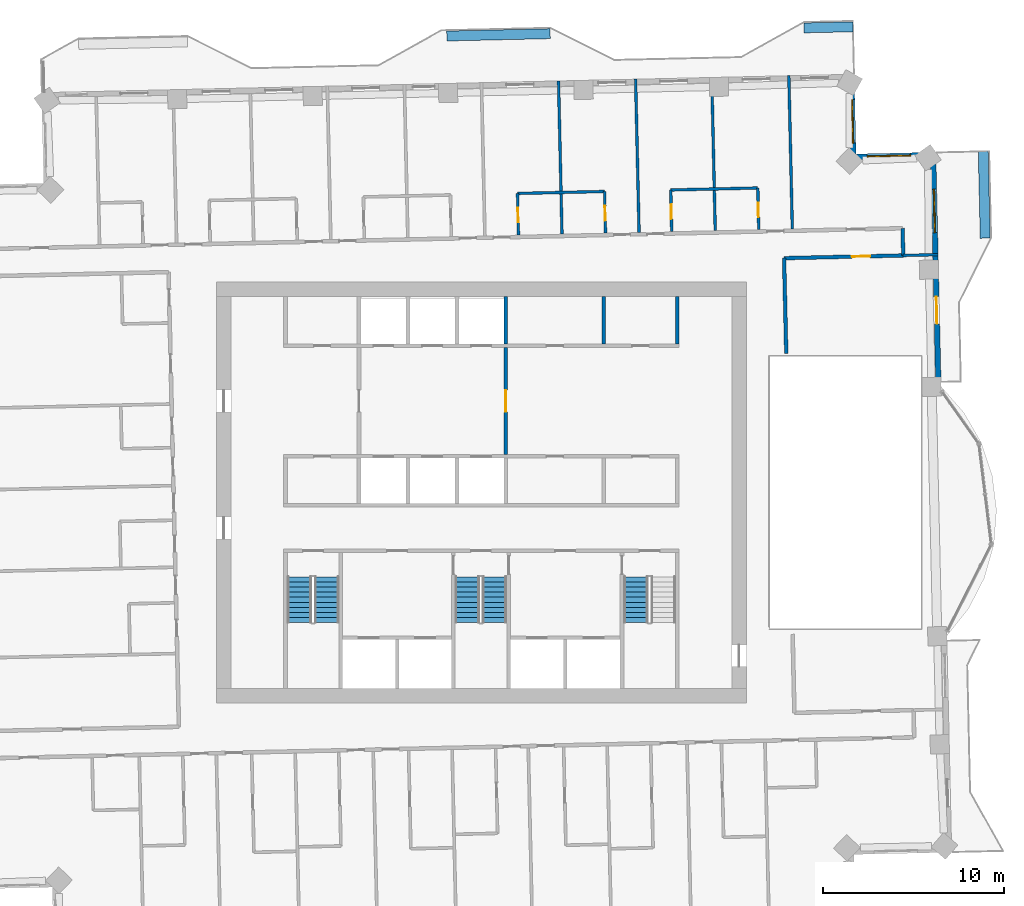
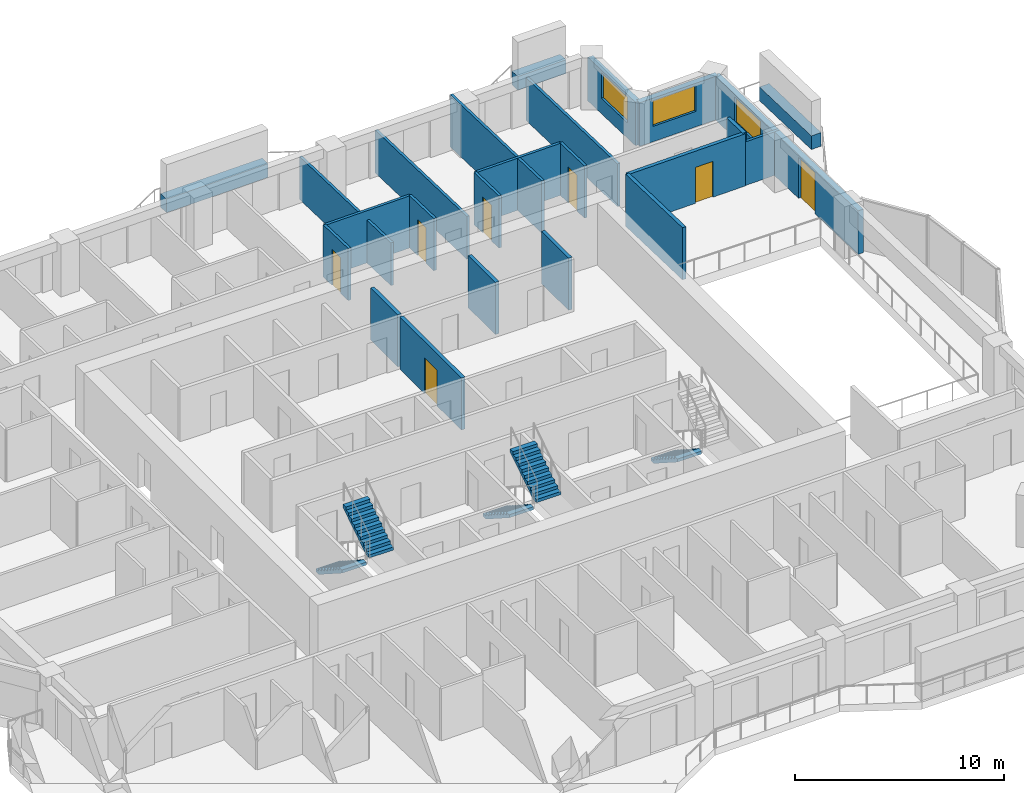
# One storey, part 12 of 17: 24 walls, 7 doors, 5 stair flights, 3 windows, 10 openings, 3 elements without a shape of their own.
"""IFC4 building model written with IfcOpenShell, lengths in metres."""

from ifc_helpers import new_model, si_unit, direction, frame, frame_2d, origin, place, context, subcontext, project, spatial, polyline, rectangle, outline, extrude, material, layer, layer_set, type_object, element, fill, aggregate, save


model = new_model("IFC4")

# Units and contexts
model_context = context("Model", 3, precision=1e-05, world=origin(), true_north=direction((0.0, 1.0)))
body_context = subcontext(model_context, "Body", "Model", "MODEL_VIEW")
ifc_project = project(units=[si_unit("LENGTHUNIT", "METRE"), si_unit("AREAUNIT", "SQUARE_METRE"), si_unit("VOLUMEUNIT", "CUBIC_METRE"), si_unit("PLANEANGLEUNIT", "RADIAN"), si_unit("MASSUNIT", "GRAM", prefix="KILO")], contexts=[model_context])

# Site, building, storey
site_placement = place(None, origin())
site = spatial("IfcSite", under=ifc_project, at=site_placement, CompositionType="ELEMENT")
building_placement = place(site_placement, origin())
building = spatial("IfcBuilding", under=site, at=building_placement, Name="Mangrove Gate Tower", CompositionType="ELEMENT")
storey_placement = place(building_placement, frame((0.0, 0.0, 249.10009765625)))
storey = spatial("IfcBuildingStorey", under=building, at=storey_placement, Name="L63", CompositionType="ELEMENT", Elevation=249.10009765625)

# Wall, opening, door
ifc_material_1 = material(Name="Concrete C32/40", Category="concrete")
ifc_layer_1 = layer(ifc_material_1, 0.199951171875)
ifc_layer_set_1 = layer_set([ifc_layer_1], Name="Core lobby wall 200 C32/40")
wall_type_1 = type_object("IfcWallType", Name="Core lobby wall 200 C32/40", PredefinedType="STANDARD", material=ifc_layer_set_1)
wall_1_placement = place(storey_placement, frame((1.35009765625, 2.10009765625, 0.0), z_axis=(0.0, 0.0, 1.0), x_axis=(0.0, 1.0, 0.0)))
wall_1 = element("IfcWall", 1, at=wall_1_placement, inside=storey, type_object=wall_type_1, Name="WALL-L63-CORE-34", PredefinedType="STANDARD", context=body_context, shape_type="SweptSolid", body=[
    extrude(rectangle(XDim=5.89990234375, YDim=0.199951171875, at=frame_2d((2.949951171875, 0.0))), origin(), (0.0, 0.0, 1.0), 3.0498046875),
])
opening_1_placement = place(wall_1_placement, frame((2.35009765625, 0.0, 0.0)))
opening_1 = element("IfcOpeningElement", 2, at=opening_1_placement, cuts=wall_1, Name="Opening FL12", PredefinedType="OPENING", context=body_context, shape_type="SweptSolid", body=[
    extrude(rectangle(XDim=1.199951171875, YDim=2.10009765625, at=frame_2d((0.60009765625, 1.050048828125))), frame((0.0, 0.10986328125, 0.0), z_axis=(0.0, -1.0, 0.0), x_axis=(1.0, 0.0, 0.0)), (0.0, 0.0, 1.0), 0.219970703125),
])
ifc_material_2 = material(Name="Fire-rated steel door set", Category="steel")
door_type_1 = type_object("IfcDoorType", Name="Lobby door FD60 1200x2100", OperationType="SINGLE_SWING_LEFT", PredefinedType="DOOR", material=ifc_material_2)
door_1_placement = place(opening_1_placement, origin())
door_1 = element("IfcDoor", 3, at=door_1_placement, inside=storey, type_object=door_type_1, Name="Lobby door lift lobby partition", OperationType="SINGLE_SWING_LEFT", OverallHeight=2.10009765625, OverallWidth=1.199951171875, PredefinedType="DOOR", context=body_context, shape_type="SweptSolid", body=[
    extrude(rectangle(XDim=1.199951171875, YDim=2.10009765625, at=frame_2d((0.60009765625, 1.050048828125))), frame((0.0, 0.02490234375, 0.0), z_axis=(0.0, -1.0, 0.0), x_axis=(1.0, 0.0, 0.0)), (0.0, 0.0, 1.0), 0.050048828125),
])
fill(opening_1, door_1)

# Walls
ifc_material_3 = material(Name="Concrete C32/40", Category="concrete")
ifc_layer_2 = layer(ifc_material_3, 0.199951171875)
ifc_layer_set_2 = layer_set([ifc_layer_2], Name="Core room wall 200 C32/40")
wall_type_2 = type_object("IfcWallType", Name="Core room wall 200 C32/40", PredefinedType="STANDARD", material=ifc_layer_set_2)
for number, where, z_axis, x_axis, name in (
    (4, (6.75, 8.199951171875, 0.0), (0.0, 0.0, 1.0), (0.0, 1.0, 0.0), "WALL-L63-CORE-31"),
    (5, (10.800048828125, 8.199951171875, 0.0), (0.0, 0.0, 1.0), (0.0, 1.0, 0.0), "WALL-L63-CORE-32"),
):
    element("IfcWall", number, at=place(storey_placement, frame(where, z_axis=z_axis, x_axis=x_axis)), inside=storey, type_object=wall_type_2, Name=name, PredefinedType="STANDARD", context=body_context, shape_type="SweptSolid", body=[
        extrude(rectangle(XDim=2.60009765625, YDim=0.199951171875, at=frame_2d((1.300048828125, 0.0))), origin(), (0.0, 0.0, 1.0), 3.0498046875),
    ])
ifc_material_4 = material(Name="Concrete C60/75", Category="concrete")
ifc_layer_3 = layer(ifc_material_4, 0.199951171875)
ifc_layer_set_3 = layer_set([ifc_layer_3], Name="Core shaft wall 200 C60/75")
wall_type_3 = type_object("IfcWallType", Name="Core shaft wall 200 C60/75", PredefinedType="SHEAR", material=ifc_layer_set_3)
wall_2_placement = place(storey_placement, frame((1.35009765625, 8.199951171875, 0.0), z_axis=(0.0, 0.0, 1.0), x_axis=(0.0, 1.0, 0.0)))
element("IfcWall", 6, at=wall_2_placement, inside=storey, type_object=wall_type_3, Name="WALL-L63-CORE-30", PredefinedType="SHEAR", context=body_context, shape_type="SweptSolid", body=[
    extrude(rectangle(XDim=2.60009765625, YDim=0.199951171875, at=frame_2d((1.300048828125, 0.0))), origin(), (0.0, 0.0, 1.0), 3.0498046875),
])
ifc_material_5 = material(Name="Gypsum board on steel stud, EI 60", Category="steel")
ifc_layer_4 = layer(ifc_material_5, 0.199951171875)
ifc_layer_set_4 = layer_set([ifc_layer_4], Name="Corridor wall EI 60")
wall_type_4 = type_object("IfcWallType", Name="Corridor wall EI 60", PredefinedType="PARTITIONING", material=ifc_layer_set_4)
wall_3_placement = place(storey_placement, frame((16.802978515625, 7.675048828125, 0.0), z_axis=(0.0, 0.0, 1.0), x_axis=(-0.022667483124, 0.999743059595, 0.0)))
element("IfcWall", 7, at=wall_3_placement, inside=storey, type_object=wall_type_4, Name="WALL-L63-049", PredefinedType="PARTITIONING", context=body_context, shape_type="SweptSolid", body=[
    extrude(rectangle(XDim=5.245361328125, YDim=0.199951171875, at=frame_2d((2.62255859375, 0.0))), origin(), (0.0, 0.0, 1.0), 3.0498046875),
])

# Wall, opening, door
wall_4_placement = place(storey_placement, frame((16.678955078125, 12.91796875, 0.0), z_axis=(0.0, 0.0, 1.0), x_axis=(0.999739125025, 0.022840356696, 0.0)))
wall_4 = element("IfcWall", 8, at=wall_4_placement, inside=storey, type_object=wall_type_4, Name="WALL-L63-055", PredefinedType="PARTITIONING", context=body_context, shape_type="SweptSolid", body=[
    extrude(rectangle(XDim=6.57373046875, YDim=0.199951171875, at=frame_2d((3.286865234375, 0.0))), origin(), (0.0, 0.0, 1.0), 3.0498046875),
])
opening_2_placement = place(wall_4_placement, frame((3.75, 0.0, 0.0)))
opening_2 = element("IfcOpeningElement", 9, at=opening_2_placement, cuts=wall_4, Name="Opening AD", PredefinedType="OPENING", context=body_context, shape_type="SweptSolid", body=[
    extrude(rectangle(XDim=1.0, YDim=2.10009765625, at=frame_2d((0.5, 1.050048828125))), frame((0.0, 0.10986328125, 0.0), z_axis=(0.0, -1.0, 0.0), x_axis=(1.0, 0.0, 0.0)), (0.0, 0.0, 1.0), 0.219970703125),
])
ifc_material_6 = material(Name="Timber door leaf", Category="wood")
door_type_2 = type_object("IfcDoorType", Name="Amenity door 1000", OperationType="SINGLE_SWING_LEFT", PredefinedType="DOOR", material=ifc_material_6)
door_2_placement = place(opening_2_placement, origin())
door_2 = element("IfcDoor", 10, at=door_2_placement, inside=storey, type_object=door_type_2, Name="DOOR-L63-GAM-c3a", OperationType="SINGLE_SWING_RIGHT", OverallHeight=2.10009765625, OverallWidth=1.0, PredefinedType="DOOR", context=body_context, shape_type="SweptSolid", body=[
    extrude(rectangle(XDim=1.0, YDim=2.10009765625, at=frame_2d((0.5, 1.050048828125))), frame((0.0, 0.02490234375, 0.0), z_axis=(0.0, -1.0, 0.0), x_axis=(1.0, 0.0, 0.0)), (0.0, 0.0, 1.0), 0.050048828125),
])
fill(opening_2, door_2)

# Wall
wall_5_placement = place(storey_placement, frame((23.251953125, 13.068115234375, 0.0), z_axis=(0.0, 0.0, 1.0), x_axis=(-0.022636322434, 0.999743765625, 0.0)))
element("IfcWall", 11, at=wall_5_placement, inside=storey, type_object=wall_type_4, Name="WALL-L63-057", PredefinedType="PARTITIONING", context=body_context, shape_type="SweptSolid", body=[
    extrude(rectangle(XDim=1.499267578125, YDim=0.199951171875, at=frame_2d((0.74951171875, 0.0))), origin(), (0.0, 0.0, 1.0), 3.0498046875),
])

# Wall, openings, door, window
ifc_material_7 = material(Name="Limestone", Category="masonry")
ifc_layer_5 = layer(ifc_material_7, 0.0400390625, Name="Limestone cladding")
ifc_material_8 = material(Name="Ventilated air gap")
ifc_layer_6 = layer(ifc_material_8, 0.0400390625, Name="Ventilated cavity")
ifc_material_9 = material(Name="Mineral wool insulation")
ifc_layer_7 = layer(ifc_material_9, 0.06005859375, Name="Insulation")
ifc_material_10 = material(Name="Breather membrane")
ifc_layer_8 = layer(ifc_material_10, 0.001953125, Name="Breather membrane")
ifc_material_11 = material(Name="Concrete C20/25 blockwork", Category="masonry")
ifc_layer_9 = layer(ifc_material_11, 0.14990234375, Name="Blockwork backing wall")
ifc_material_12 = material(Name="Gypsum plaster")
ifc_layer_10 = layer(ifc_material_12, 0.008056640625, Name="Internal plaster")
ifc_layer_set_5 = layer_set([ifc_layer_5, ifc_layer_6, ifc_layer_7, ifc_layer_8, ifc_layer_9, ifc_layer_10], Name="External wall 300 limestone cladding")
wall_type_5 = type_object("IfcWallType", Name="External wall 300 limestone cladding", PredefinedType="SOLIDWALL", material=ifc_layer_set_5)
wall_6_placement = place(storey_placement, frame((25.202880859375, 5.31005859375, 0.0), z_axis=(0.0, 0.0, 1.0), x_axis=(-0.022708061432, 0.999742138727, 0.0)))
wall_6 = element("IfcWall", 12, at=wall_6_placement, inside=storey, type_object=wall_type_5, Name="WALL-L63-E2s1", PredefinedType="SOLIDWALL", context=body_context, shape_type="SweptSolid", body=[
    extrude(rectangle(XDim=13.29931640625, YDim=0.300048828125, at=frame_2d((6.649658203125, 0.0))), origin(), (0.0, 0.0, 1.0), 2.5498046875),
])
opening_3_placement = place(wall_6_placement, frame((3.986083984375, 0.0, 0.0)))
opening_3 = element("IfcOpeningElement", 13, at=opening_3_placement, cuts=wall_6, Name="Opening BD1", PredefinedType="OPENING", context=body_context, shape_type="SweptSolid", body=[
    extrude(rectangle(XDim=1.5, YDim=2.39990234375, at=frame_2d((0.75, 1.199951171875))), frame((0.0, 0.159912109375, 0.0), z_axis=(0.0, -1.0, 0.0), x_axis=(1.0, 0.0, 0.0)), (0.0, 0.0, 1.0), 0.320068359375),
])
opening_4_placement = place(wall_6_placement, frame((9.012939453125, 0.0, 0.89990234375)))
opening_4 = element("IfcOpeningElement", 14, at=opening_4_placement, cuts=wall_6, Name="Opening W2", PredefinedType="OPENING", context=body_context, shape_type="SweptSolid", body=[
    extrude(rectangle(XDim=2.39990234375, YDim=1.5, at=frame_2d((1.199951171875, 0.75))), frame((0.0, 0.159912109375, 0.0), z_axis=(0.0, -1.0, 0.0), x_axis=(1.0, 0.0, 0.0)), (0.0, 0.0, 1.0), 0.320068359375),
])
ifc_material_13 = material(Name="Aluminium frame with laminated clear glass", Category="aluminium")
door_type_3 = type_object("IfcDoorType", Name="Balcony sliding door 1500x2400", OperationType="SLIDING_TO_LEFT", PredefinedType="DOOR", material=ifc_material_13)
door_3_placement = place(opening_3_placement, origin())
door_3 = element("IfcDoor", 15, at=door_3_placement, inside=storey, type_object=door_type_3, Name="DOOR-L63-E2-1", OperationType="SLIDING_TO_LEFT", OverallHeight=2.39990234375, OverallWidth=1.5, PredefinedType="DOOR", context=body_context, shape_type="SweptSolid", body=[
    extrude(rectangle(XDim=1.5, YDim=2.39990234375, at=frame_2d((0.75, 1.199951171875))), frame((0.0, 0.02490234375, 0.0), z_axis=(0.0, -1.0, 0.0), x_axis=(1.0, 0.0, 0.0)), (0.0, 0.0, 1.0), 0.050048828125),
])
fill(opening_3, door_3)
ifc_material_14 = material(Name="Aluminium frame with double-glazed low-e glass", Category="aluminium")
window_type = type_object("IfcWindowType", Name="Corner room window 2400x1500", PartitioningType="DOUBLE_PANEL_VERTICAL", PredefinedType="WINDOW", material=ifc_material_14)
window_1_placement = place(opening_4_placement, origin())
window_1 = element("IfcWindow", 16, at=window_1_placement, inside=storey, type_object=window_type, Name="WIN-L63-E2-2", OverallHeight=1.5, OverallWidth=2.39990234375, PartitioningType="DOUBLE_PANEL_VERTICAL", PredefinedType="WINDOW", context=body_context, shape_type="SweptSolid", body=[
    extrude(rectangle(XDim=2.39990234375, YDim=1.5, at=frame_2d((1.199951171875, 0.75))), frame((0.0, 0.030029296875, 0.0), z_axis=(0.0, -1.0, 0.0), x_axis=(1.0, 0.0, 0.0)), (0.0, 0.0, 1.0), 0.06005859375),
])
fill(opening_4, window_1)

# Wall, opening, window
wall_7_placement = place(storey_placement, frame((24.90087890625, 18.60595703125, 0.0), z_axis=(0.0, 0.0, 1.0), x_axis=(-0.999747476176, -0.022471846368, 0.0)))
wall_7 = element("IfcWall", 17, at=wall_7_placement, inside=storey, type_object=wall_type_5, Name="WALL-L63-N3", PredefinedType="SOLIDWALL", context=body_context, shape_type="SweptSolid", body=[
    extrude(rectangle(XDim=4.400146484375, YDim=0.300048828125, at=frame_2d((2.2001953125, 0.0))), origin(), (0.0, 0.0, 1.0), 2.5498046875),
])
opening_5_placement = place(wall_7_placement, frame((1.24609375, 0.0, 0.89990234375)))
opening_5 = element("IfcOpeningElement", 18, at=opening_5_placement, cuts=wall_7, Name="Opening W2", PredefinedType="OPENING", context=body_context, shape_type="SweptSolid", body=[
    extrude(rectangle(XDim=2.39990234375, YDim=1.5, at=frame_2d((1.199951171875, 0.75))), frame((0.0, 0.159912109375, 0.0), z_axis=(0.0, -1.0, 0.0), x_axis=(1.0, 0.0, 0.0)), (0.0, 0.0, 1.0), 0.320068359375),
])
window_2_placement = place(opening_5_placement, origin())
window_2 = element("IfcWindow", 19, at=window_2_placement, inside=storey, type_object=window_type, Name="WIN-L63-N3-1", OverallHeight=1.5, OverallWidth=2.39990234375, PartitioningType="DOUBLE_PANEL_VERTICAL", PredefinedType="WINDOW", context=body_context, shape_type="SweptSolid", body=[
    extrude(rectangle(XDim=2.39990234375, YDim=1.5, at=frame_2d((1.199951171875, 0.75))), frame((0.0, 0.030029296875, 0.0), z_axis=(0.0, -1.0, 0.0), x_axis=(1.0, 0.0, 0.0)), (0.0, 0.0, 1.0), 0.06005859375),
])
fill(opening_5, window_2)

wall_8_placement = place(storey_placement, frame((20.501953125, 18.507080078125, 0.0), z_axis=(0.0, 0.0, 1.0), x_axis=(-0.02247683371, 0.999747364061, 0.0)))
wall_8 = element("IfcWall", 20, at=wall_8_placement, inside=storey, type_object=wall_type_5, Name="WALL-L63-E4", PredefinedType="SOLIDWALL", context=body_context, shape_type="SweptSolid", body=[
    extrude(rectangle(XDim=4.399169921875, YDim=0.300048828125, at=frame_2d((2.19970703125, 0.0))), origin(), (0.0, 0.0, 1.0), 2.5498046875),
])
opening_6_placement = place(wall_8_placement, frame((0.75, 0.0, 0.89990234375)))
opening_6 = element("IfcOpeningElement", 21, at=opening_6_placement, cuts=wall_8, Name="Opening W2", PredefinedType="OPENING", context=body_context, shape_type="SweptSolid", body=[
    extrude(rectangle(XDim=2.39990234375, YDim=1.5, at=frame_2d((1.199951171875, 0.75))), frame((0.0, 0.159912109375, 0.0), z_axis=(0.0, -1.0, 0.0), x_axis=(1.0, 0.0, 0.0)), (0.0, 0.0, 1.0), 0.320068359375),
])
window_3_placement = place(opening_6_placement, origin())
window_3 = element("IfcWindow", 22, at=window_3_placement, inside=storey, type_object=window_type, Name="WIN-L63-E4-1", OverallHeight=1.5, OverallWidth=2.39990234375, PartitioningType="DOUBLE_PANEL_VERTICAL", PredefinedType="WINDOW", context=body_context, shape_type="SweptSolid", body=[
    extrude(rectangle(XDim=2.39990234375, YDim=1.5, at=frame_2d((1.199951171875, 0.75))), frame((0.0, 0.030029296875, 0.0), z_axis=(0.0, -1.0, 0.0), x_axis=(1.0, 0.0, 0.0)), (0.0, 0.0, 1.0), 0.06005859375),
])
fill(opening_6, window_3)

# Wall
ifc_material_15 = material(Name="Gypsum board on steel stud, EI 60", Category="steel")
ifc_layer_11 = layer(ifc_material_15, 0.14990234375)
ifc_layer_set_6 = layer_set([ifc_layer_11], Name="Party wall 150 EI 60")
wall_type_6 = type_object("IfcWallType", Name="Party wall 150 EI 60", PredefinedType="PARTITIONING", material=ifc_layer_set_6)
wall_9_placement = place(storey_placement, frame((23.2509765625, 13.068115234375, 0.0), z_axis=(0.0, 0.0, 1.0), x_axis=(0.999750982596, 0.022315304114, 0.0)))
element("IfcWall", 23, at=wall_9_placement, inside=storey, type_object=wall_type_6, Name="WALL-L63-056", PredefinedType="PARTITIONING", context=body_context, shape_type="SweptSolid", body=[
    extrude(rectangle(XDim=1.925537109375, YDim=0.14990234375, at=frame_2d((0.962890625, 0.0))), origin(), (0.0, 0.0, 1.0), 2.5498046875),
])

# Wall, opening, door
wall_10_placement = place(storey_placement, frame((2.0419921875, 14.18701171875, 0.0), z_axis=(0.0, 0.0, 1.0), x_axis=(-0.023037316498, 0.999734605807, 0.0)))
wall_10 = element("IfcWall", 24, at=wall_10_placement, inside=storey, type_object=wall_type_6, Name="WALL-L63-070", PredefinedType="PARTITIONING", context=body_context, shape_type="SweptSolid", body=[
    extrude(rectangle(XDim=2.299560546875, YDim=0.14990234375, at=frame_2d((1.14990234375, 0.0))), origin(), (0.0, 0.0, 1.0), 3.0498046875),
])
opening_7_placement = place(wall_10_placement, frame((0.699951171875, 0.0, 0.0)))
opening_7 = element("IfcOpeningElement", 25, at=opening_7_placement, cuts=wall_10, Name="Opening ED", PredefinedType="OPENING", context=body_context, shape_type="SweptSolid", body=[
    extrude(rectangle(XDim=0.800048828125, YDim=2.10009765625, at=frame_2d((0.39990234375, 1.050048828125))), frame((0.0, 0.0849609375, 0.0), z_axis=(0.0, -1.0, 0.0), x_axis=(1.0, 0.0, 0.0)), (0.0, 0.0, 1.0), 0.169921875),
])
ifc_material_16 = material(Name="Timber door leaf", Category="wood")
door_type_4 = type_object("IfcDoorType", Name="En-suite door 800", OperationType="SINGLE_SWING_LEFT", PredefinedType="DOOR", material=ifc_material_16)
door_4_placement = place(opening_7_placement, origin())
door_4 = element("IfcDoor", 26, at=door_4_placement, inside=storey, type_object=door_type_4, Name="DOOR-L63-ENS-c412", OperationType="SINGLE_SWING_RIGHT", OverallHeight=2.10009765625, OverallWidth=0.800048828125, PredefinedType="DOOR", context=body_context, shape_type="SweptSolid", body=[
    extrude(rectangle(XDim=0.800048828125, YDim=2.10009765625, at=frame_2d((0.39990234375, 1.050048828125))), frame((0.0, 0.02490234375, 0.0), z_axis=(0.0, -1.0, 0.0), x_axis=(1.0, 0.0, 0.0)), (0.0, 0.0, 1.0), 0.050048828125),
])
fill(opening_7, door_4)

# Wall
wall_11_placement = place(storey_placement, frame((4.44091796875, 14.240966796875, 0.0), z_axis=(0.0, 0.0, 1.0), x_axis=(-0.022708935798, 0.999742118866, 0.0)))
element("IfcWall", 27, at=wall_11_placement, inside=storey, type_object=wall_type_6, Name="WALL-L63-071", PredefinedType="PARTITIONING", context=body_context, shape_type="SweptSolid", body=[
    extrude(rectangle(XDim=8.4501953125, YDim=0.14990234375, at=frame_2d((4.22509765625, 0.0))), origin(), (0.0, 0.0, 1.0), 2.5),
])

# Wall, opening, door
wall_12_placement = place(storey_placement, frame((6.840087890625, 14.2958984375, 0.0), z_axis=(0.0, 0.0, 1.0), x_axis=(-0.022612884682, 0.999744296031, 0.0)))
wall_12 = element("IfcWall", 28, at=wall_12_placement, inside=storey, type_object=wall_type_6, Name="WALL-L63-072", PredefinedType="PARTITIONING", context=body_context, shape_type="SweptSolid", body=[
    extrude(rectangle(XDim=2.299560546875, YDim=0.14990234375, at=frame_2d((1.14990234375, 0.0))), origin(), (0.0, 0.0, 1.0), 3.0498046875),
])
opening_8_placement = place(wall_12_placement, frame((0.699951171875, 0.0, 0.0)))
opening_8 = element("IfcOpeningElement", 29, at=opening_8_placement, cuts=wall_12, Name="Opening ED", PredefinedType="OPENING", context=body_context, shape_type="SweptSolid", body=[
    extrude(rectangle(XDim=0.800048828125, YDim=2.10009765625, at=frame_2d((0.39990234375, 1.050048828125))), frame((0.0, 0.0849609375, 0.0), z_axis=(0.0, -1.0, 0.0), x_axis=(1.0, 0.0, 0.0)), (0.0, 0.0, 1.0), 0.169921875),
])
door_5_placement = place(opening_8_placement, origin())
door_5 = element("IfcDoor", 30, at=door_5_placement, inside=storey, type_object=door_type_4, Name="DOOR-L63-ENS-c311", OperationType="SINGLE_SWING_LEFT", OverallHeight=2.10009765625, OverallWidth=0.800048828125, PredefinedType="DOOR", context=body_context, shape_type="SweptSolid", body=[
    extrude(rectangle(XDim=0.800048828125, YDim=2.10009765625, at=frame_2d((0.39990234375, 1.050048828125))), frame((0.0, 0.02490234375, 0.0), z_axis=(0.0, -1.0, 0.0), x_axis=(1.0, 0.0, 0.0)), (0.0, 0.0, 1.0), 0.050048828125),
])
fill(opening_8, door_5)

# Wall
wall_13_placement = place(storey_placement, frame((8.68994140625, 14.337890625, 0.0), z_axis=(0.0, 0.0, 1.0), x_axis=(-0.022711559831, 0.999742059258, 0.0)))
element("IfcWall", 31, at=wall_13_placement, inside=storey, type_object=wall_type_6, Name="WALL-L63-073", PredefinedType="PARTITIONING", context=body_context, shape_type="SweptSolid", body=[
    extrude(rectangle(XDim=8.44921875, YDim=0.14990234375, at=frame_2d((4.224609375, 0.0))), origin(), (0.0, 0.0, 1.0), 2.5),
])

# Wall, opening, door
wall_14_placement = place(storey_placement, frame((10.489013671875, 14.3779296875, 0.0), z_axis=(0.0, 0.0, 1.0), x_axis=(-0.022603288534, 0.999744513037, 0.0)))
wall_14 = element("IfcWall", 32, at=wall_14_placement, inside=storey, type_object=wall_type_6, Name="WALL-L63-074", PredefinedType="PARTITIONING", context=body_context, shape_type="SweptSolid", body=[
    extrude(rectangle(XDim=2.300537109375, YDim=0.14990234375, at=frame_2d((1.150390625, 0.0))), origin(), (0.0, 0.0, 1.0), 3.0498046875),
])
opening_9_placement = place(wall_14_placement, frame((0.699951171875, 0.0, 0.0)))
opening_9 = element("IfcOpeningElement", 33, at=opening_9_placement, cuts=wall_14, Name="Opening ED", PredefinedType="OPENING", context=body_context, shape_type="SweptSolid", body=[
    extrude(rectangle(XDim=0.800048828125, YDim=2.10009765625, at=frame_2d((0.39990234375, 1.050048828125))), frame((0.0, 0.0849609375, 0.0), z_axis=(0.0, -1.0, 0.0), x_axis=(1.0, 0.0, 0.0)), (0.0, 0.0, 1.0), 0.169921875),
])
door_6_placement = place(opening_9_placement, origin())
door_6 = element("IfcDoor", 34, at=door_6_placement, inside=storey, type_object=door_type_4, Name="DOOR-L63-ENS-c310", OperationType="SINGLE_SWING_RIGHT", OverallHeight=2.10009765625, OverallWidth=0.800048828125, PredefinedType="DOOR", context=body_context, shape_type="SweptSolid", body=[
    extrude(rectangle(XDim=0.800048828125, YDim=2.10009765625, at=frame_2d((0.39990234375, 1.050048828125))), frame((0.0, 0.02490234375, 0.0), z_axis=(0.0, -1.0, 0.0), x_axis=(1.0, 0.0, 0.0)), (0.0, 0.0, 1.0), 0.050048828125),
])
fill(opening_9, door_6)

# Wall
wall_15_placement = place(storey_placement, frame((12.888916015625, 14.43310546875, 0.0), z_axis=(0.0, 0.0, 1.0), x_axis=(-0.022708935798, 0.999742118866, 0.0)))
element("IfcWall", 35, at=wall_15_placement, inside=storey, type_object=wall_type_6, Name="WALL-L63-075", PredefinedType="PARTITIONING", context=body_context, shape_type="SweptSolid", body=[
    extrude(rectangle(XDim=8.4501953125, YDim=0.14990234375, at=frame_2d((4.22509765625, 0.0))), origin(), (0.0, 0.0, 1.0), 3.0498046875),
])

# Wall, opening, door
wall_16_placement = place(storey_placement, frame((15.2880859375, 14.487060546875, 0.0), z_axis=(0.0, 0.0, 1.0), x_axis=(-0.022603288534, 0.999744513037, 0.0)))
wall_16 = element("IfcWall", 36, at=wall_16_placement, inside=storey, type_object=wall_type_6, Name="WALL-L63-076", PredefinedType="PARTITIONING", context=body_context, shape_type="SweptSolid", body=[
    extrude(rectangle(XDim=2.300537109375, YDim=0.14990234375, at=frame_2d((1.150390625, 0.0))), origin(), (0.0, 0.0, 1.0), 3.0498046875),
])
opening_10_placement = place(wall_16_placement, frame((0.699951171875, 0.0, 0.0)))
opening_10 = element("IfcOpeningElement", 37, at=opening_10_placement, cuts=wall_16, Name="Opening ED", PredefinedType="OPENING", context=body_context, shape_type="SweptSolid", body=[
    extrude(rectangle(XDim=0.800048828125, YDim=2.10009765625, at=frame_2d((0.39990234375, 1.050048828125))), frame((0.0, 0.0849609375, 0.0), z_axis=(0.0, -1.0, 0.0), x_axis=(1.0, 0.0, 0.0)), (0.0, 0.0, 1.0), 0.169921875),
])
door_7_placement = place(opening_10_placement, origin())
door_7 = element("IfcDoor", 38, at=door_7_placement, inside=storey, type_object=door_type_4, Name="DOOR-L63-ENS-c309", OperationType="SINGLE_SWING_LEFT", OverallHeight=2.10009765625, OverallWidth=0.800048828125, PredefinedType="DOOR", context=body_context, shape_type="SweptSolid", body=[
    extrude(rectangle(XDim=0.800048828125, YDim=2.10009765625, at=frame_2d((0.39990234375, 1.050048828125))), frame((0.0, 0.02490234375, 0.0), z_axis=(0.0, -1.0, 0.0), x_axis=(1.0, 0.0, 0.0)), (0.0, 0.0, 1.0), 0.050048828125),
])
fill(opening_10, door_7)

# Walls
wall_17_placement = place(storey_placement, frame((17.137939453125, 14.529052734375, 0.0), z_axis=(0.0, 0.0, 1.0), x_axis=(-0.022708935798, 0.999742118866, 0.0)))
element("IfcWall", 39, at=wall_17_placement, inside=storey, type_object=wall_type_6, Name="WALL-L63-077", PredefinedType="PARTITIONING", context=body_context, shape_type="SweptSolid", body=[
    extrude(rectangle(XDim=8.4501953125, YDim=0.14990234375, at=frame_2d((4.22509765625, 0.0))), origin(), (0.0, 0.0, 1.0), 2.5),
])
for number, where, z_axis, x_axis, name in (
    (40, (1.985107421875, 16.486083984375, 0.0), (0.0, 0.0, 1.0), (0.999742675121, 0.022684433919, 0.0), "WALL-L63-081"),
    (41, (10.43310546875, 16.677978515625, 0.0), (0.0, 0.0, 1.0), (0.999741520352, 0.022735269617, 0.0), "WALL-L63-082"),
):
    element("IfcWall", number, at=place(storey_placement, frame(where, z_axis=z_axis, x_axis=x_axis)), inside=storey, type_object=wall_type_6, Name=name, PredefinedType="PARTITIONING", context=body_context, shape_type="SweptSolid", body=[
        extrude(rectangle(XDim=4.800048828125, YDim=0.14990234375, at=frame_2d((2.39990234375, 0.0))), origin(), (0.0, 0.0, 1.0), 3.0498046875),
    ])
ifc_material_17 = material(Name="Concrete C32/40", Category="concrete")
ifc_layer_12 = layer(ifc_material_17, 0.199951171875, Name="Planter trough wall")
ifc_material_18 = material(Name="Bituminous waterproofing membrane")
ifc_layer_13 = layer(ifc_material_18, 0.0048828125, Name="Waterproofing")
ifc_material_19 = material(Name="Drainage board and gravel")
ifc_layer_14 = layer(ifc_material_19, 0.044921875, Name="Drainage layer")
ifc_material_20 = material(Name="Planting soil")
ifc_layer_15 = layer(ifc_material_20, 0.300048828125, Name="Growing medium")
ifc_layer_set_7 = layer_set([ifc_layer_12, ifc_layer_13, ifc_layer_14, ifc_layer_15], Name="Planter wall 550 C32/40")
wall_type_7 = type_object("IfcWallType", Name="Planter wall 550 C32/40", PredefinedType="USERDEFINED", material=ifc_layer_set_7)
wall_18_placement = place(storey_placement, frame((27.77099609375, 14.02099609375, 0.0), z_axis=(0.0, 0.0, 1.0), x_axis=(-0.02268789488, 0.999742596585, 0.0)))
element("IfcWall", 42, at=wall_18_placement, inside=storey, type_object=wall_type_7, Name="PLANTER L63 E1.1", ObjectType="PLANTER", PredefinedType="USERDEFINED", context=body_context, shape_type="SweptSolid", body=[
    extrude(rectangle(XDim=4.79931640625, YDim=0.550048828125, at=frame_2d((2.399658203125, 0.0))), origin(), (0.0, 0.0, 1.0), 0.7998046875),
])
wall_19_placement = place(storey_placement, frame((-1.908935546875, 25.1650390625, 0.0), z_axis=(0.0, 0.0, 1.0), x_axis=(0.999744284001, 0.022613416525, 0.0)))
element("IfcWall", 43, at=wall_19_placement, inside=storey, type_object=wall_type_7, Name="PLANTER L63 N0.1", ObjectType="PLANTER", PredefinedType="USERDEFINED", context=body_context, shape_type="SweptSolid", body=[
    extrude(rectangle(XDim=5.700439453125, YDim=0.550048828125, at=frame_2d((2.85009765625, 0.0))), origin(), (0.0, 0.0, 1.0), 0.7998046875),
])
wall_20_placement = place(storey_placement, frame((17.785888671875, 25.612060546875, 0.0), z_axis=(0.0, 0.0, 1.0), x_axis=(0.999745364927, 0.022565577937, 0.0)))
element("IfcWall", 44, at=wall_20_placement, inside=storey, type_object=wall_type_7, Name="PLANTER L63 N0.2", ObjectType="PLANTER", PredefinedType="USERDEFINED", context=body_context, shape_type="SweptSolid", body=[
    extrude(rectangle(XDim=2.704833984375, YDim=0.550048828125, at=frame_2d((1.3525390625, 0.0))), origin(), (0.0, 0.0, 1.0), 0.7998046875),
])

# Stair, stair flights
ifc_material_21 = material(Name="Concrete C40/50", Category="concrete")
stair_type = type_object("IfcStairType", Name="Core stair 1350", PredefinedType="HALF_TURN_STAIR", material=ifc_material_21)
stair_1_placement = place(storey_placement, origin())
stair_1 = element("IfcStair", 45, at=stair_1_placement, inside=storey, type_object=stair_type, Name="L63 Stair 1", PredefinedType="HALF_TURN_STAIR")
ifc_material_22 = material(Name="Concrete C40/50", Category="concrete")
stair_flight_type = type_object("IfcStairFlightType", Name="Core stair flight 1350", PredefinedType="STRAIGHT", material=ifc_material_22)
stair_flight_1_placement = place(storey_placement, frame((-10.02490234375, -4.64990234375, 0.0), z_axis=(0.0, 0.0, 1.0), x_axis=(0.0, -1.0, 0.0)))
stair_flight_1 = element("IfcStairFlight", 46, at=stair_flight_1_placement, type_object=stair_flight_type, Name="ST1 flight 1", NumberOfRisers=10, NumberOfTreads=9, PredefinedType="STRAIGHT", RiserHeight=0.18, TreadLength=0.28, context=body_context, shape_type="SweptSolid", body=[
    extrude(outline(polyline([(0.0, 0.0), (0.0, 0.179931640625), (0.280029296875, 0.179931640625), (0.280029296875, 0.360107421875), (0.56005859375, 0.360107421875), (0.56005859375, 0.5400390625), (0.840087890625, 0.5400390625), (0.840087890625, 0.719970703125), (1.1201171875, 0.719970703125), (1.1201171875, 0.89990234375), (1.39990234375, 0.89990234375), (1.39990234375, 1.080078125), (1.679931640625, 1.080078125), (1.679931640625, 1.260009765625), (1.9599609375, 1.260009765625), (1.9599609375, 1.43994140625), (2.239990234375, 1.43994140625), (2.239990234375, 1.6201171875), (2.52001953125, 1.6201171875), (2.52001953125, 1.800048828125), (2.52001953125, 1.44189453125), (0.277099609375, 0.0), (0.0, 0.0)])), frame((0.0, 0.675048828125, 0.0), z_axis=(0.0, -1.0, 0.0), x_axis=(1.0, 0.0, 0.0)), (0.0, 0.0, 1.0), 1.35009765625),
])
stair_flight_2_placement = place(storey_placement, frame((-8.52490234375, -7.169921875, 1.7998046875), z_axis=(0.0, 0.0, 1.0), x_axis=(0.0, 1.0, 0.0)))
stair_flight_2 = element("IfcStairFlight", 47, at=stair_flight_2_placement, type_object=stair_flight_type, Name="ST1 flight 2", NumberOfRisers=10, NumberOfTreads=9, PredefinedType="STRAIGHT", RiserHeight=0.18, TreadLength=0.28, context=body_context, shape_type="SweptSolid", body=[
    extrude(outline(polyline([(0.0, 0.0), (0.0, 0.179931640625), (0.280029296875, 0.179931640625), (0.280029296875, 0.360107421875), (0.56005859375, 0.360107421875), (0.56005859375, 0.5400390625), (0.840087890625, 0.5400390625), (0.840087890625, 0.719970703125), (1.1201171875, 0.719970703125), (1.1201171875, 0.89990234375), (1.39990234375, 0.89990234375), (1.39990234375, 1.080078125), (1.679931640625, 1.080078125), (1.679931640625, 1.260009765625), (1.9599609375, 1.260009765625), (1.9599609375, 1.43994140625), (2.239990234375, 1.43994140625), (2.239990234375, 1.6201171875), (2.52001953125, 1.6201171875), (2.52001953125, 1.800048828125), (2.52001953125, 1.44189453125), (0.277099609375, 0.0), (0.0, 0.0)])), frame((0.0, 0.675048828125, 0.0), z_axis=(0.0, -1.0, 0.0), x_axis=(1.0, 0.0, 0.0)), (0.0, 0.0, 1.0), 1.35009765625),
])
aggregate(stair_1, [stair_flight_1, stair_flight_2])

stair_2_placement = place(storey_placement, origin())
stair_2 = element("IfcStair", 48, at=stair_2_placement, inside=storey, type_object=stair_type, Name="L63 Stair 2", PredefinedType="HALF_TURN_STAIR")
stair_flight_3_placement = place(storey_placement, frame((-0.77490234375, -4.64990234375, 0.0), z_axis=(0.0, 0.0, 1.0), x_axis=(0.0, -1.0, 0.0)))
stair_flight_3 = element("IfcStairFlight", 49, at=stair_flight_3_placement, type_object=stair_flight_type, Name="ST2 flight 1", NumberOfRisers=10, NumberOfTreads=9, PredefinedType="STRAIGHT", RiserHeight=0.18, TreadLength=0.28, context=body_context, shape_type="SweptSolid", body=[
    extrude(outline(polyline([(0.0, 0.0), (0.0, 0.179931640625), (0.280029296875, 0.179931640625), (0.280029296875, 0.360107421875), (0.56005859375, 0.360107421875), (0.56005859375, 0.5400390625), (0.840087890625, 0.5400390625), (0.840087890625, 0.719970703125), (1.1201171875, 0.719970703125), (1.1201171875, 0.89990234375), (1.39990234375, 0.89990234375), (1.39990234375, 1.080078125), (1.679931640625, 1.080078125), (1.679931640625, 1.260009765625), (1.9599609375, 1.260009765625), (1.9599609375, 1.43994140625), (2.239990234375, 1.43994140625), (2.239990234375, 1.6201171875), (2.52001953125, 1.6201171875), (2.52001953125, 1.800048828125), (2.52001953125, 1.44189453125), (0.277099609375, 0.0), (0.0, 0.0)])), frame((0.0, 0.675048828125, 0.0), z_axis=(0.0, -1.0, 0.0), x_axis=(1.0, 0.0, 0.0)), (0.0, 0.0, 1.0), 1.35009765625),
])
stair_flight_4_placement = place(storey_placement, frame((0.72509765625, -7.169921875, 1.7998046875), z_axis=(0.0, 0.0, 1.0), x_axis=(0.0, 1.0, 0.0)))
stair_flight_4 = element("IfcStairFlight", 50, at=stair_flight_4_placement, type_object=stair_flight_type, Name="ST2 flight 2", NumberOfRisers=10, NumberOfTreads=9, PredefinedType="STRAIGHT", RiserHeight=0.18, TreadLength=0.28, context=body_context, shape_type="SweptSolid", body=[
    extrude(outline(polyline([(0.0, 0.0), (0.0, 0.179931640625), (0.280029296875, 0.179931640625), (0.280029296875, 0.360107421875), (0.56005859375, 0.360107421875), (0.56005859375, 0.5400390625), (0.840087890625, 0.5400390625), (0.840087890625, 0.719970703125), (1.1201171875, 0.719970703125), (1.1201171875, 0.89990234375), (1.39990234375, 0.89990234375), (1.39990234375, 1.080078125), (1.679931640625, 1.080078125), (1.679931640625, 1.260009765625), (1.9599609375, 1.260009765625), (1.9599609375, 1.43994140625), (2.239990234375, 1.43994140625), (2.239990234375, 1.6201171875), (2.52001953125, 1.6201171875), (2.52001953125, 1.800048828125), (2.52001953125, 1.44189453125), (0.277099609375, 0.0), (0.0, 0.0)])), frame((0.0, 0.675048828125, 0.0), z_axis=(0.0, -1.0, 0.0), x_axis=(1.0, 0.0, 0.0)), (0.0, 0.0, 1.0), 1.35009765625),
])
aggregate(stair_2, [stair_flight_3, stair_flight_4])

# Stair, stair flight
stair_3_placement = place(storey_placement, origin())
stair_3 = element("IfcStair", 51, at=stair_3_placement, inside=storey, type_object=stair_type, Name="L63 Stair 3", PredefinedType="HALF_TURN_STAIR")
stair_flight_5_placement = place(storey_placement, frame((8.52490234375, -4.64990234375, 0.0), z_axis=(0.0, 0.0, 1.0), x_axis=(0.0, -1.0, 0.0)))
stair_flight_5 = element("IfcStairFlight", 52, at=stair_flight_5_placement, type_object=stair_flight_type, Name="ST3 flight 1", NumberOfRisers=10, NumberOfTreads=9, PredefinedType="STRAIGHT", RiserHeight=0.18, TreadLength=0.28, context=body_context, shape_type="SweptSolid", body=[
    extrude(outline(polyline([(0.0, 0.0), (0.0, 0.179931640625), (0.280029296875, 0.179931640625), (0.280029296875, 0.360107421875), (0.56005859375, 0.360107421875), (0.56005859375, 0.5400390625), (0.840087890625, 0.5400390625), (0.840087890625, 0.719970703125), (1.1201171875, 0.719970703125), (1.1201171875, 0.89990234375), (1.39990234375, 0.89990234375), (1.39990234375, 1.080078125), (1.679931640625, 1.080078125), (1.679931640625, 1.260009765625), (1.9599609375, 1.260009765625), (1.9599609375, 1.43994140625), (2.239990234375, 1.43994140625), (2.239990234375, 1.6201171875), (2.52001953125, 1.6201171875), (2.52001953125, 1.800048828125), (2.52001953125, 1.44189453125), (0.277099609375, 0.0), (0.0, 0.0)])), frame((0.0, 0.675048828125, 0.0), z_axis=(0.0, -1.0, 0.0), x_axis=(1.0, 0.0, 0.0)), (0.0, 0.0, 1.0), 1.35009765625),
])
aggregate(stair_3, [stair_flight_5])

save(model, "model.ifc")
